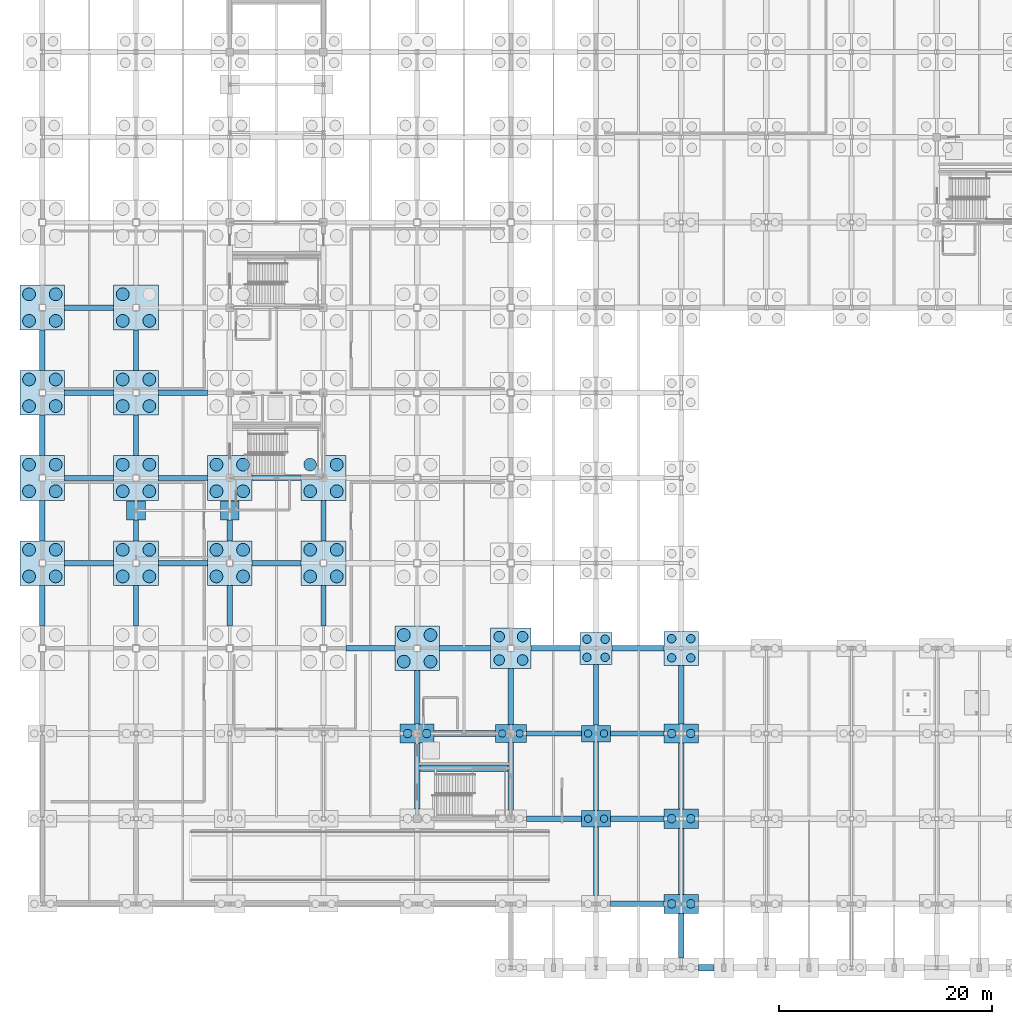
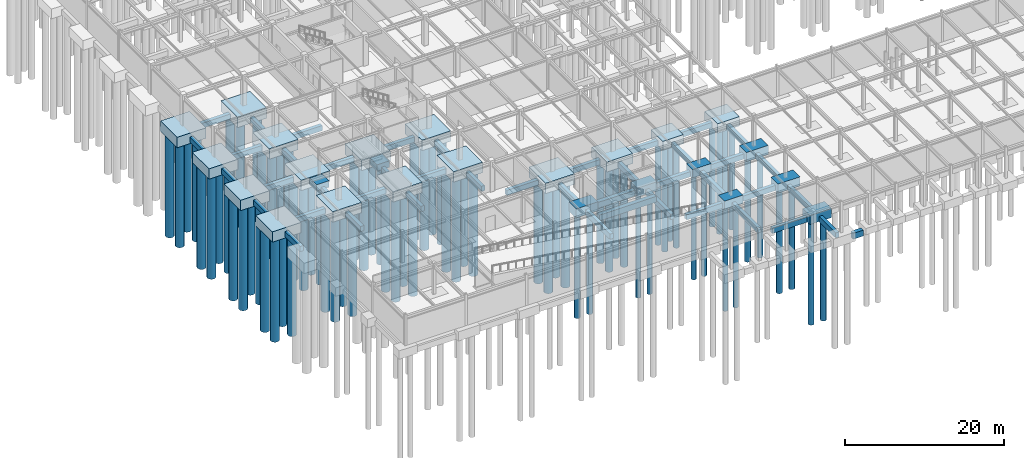
# One storey, part 2 of 72: 77 piles, 69 footings.
"""IFC4 building model written with IfcOpenShell, lengths in metres."""

from ifc_helpers import new_model, si_unit, direction, frame, origin, origin_2d, place, context, subcontext, project, spatial, rectangle, circle, extrude, material, material_profile, profile_set, type_object, element, save


model = new_model("IFC4")

# Units and contexts
model_context = context("Model", 3, precision=1e-05, world=origin(), true_north=direction((0.0, 1.0)))
body_context = subcontext(model_context, "Body", "Model", "MODEL_VIEW")
ifc_project = project(units=[si_unit("LENGTHUNIT", "METRE"), si_unit("AREAUNIT", "SQUARE_METRE"), si_unit("VOLUMEUNIT", "CUBIC_METRE"), si_unit("PLANEANGLEUNIT", "RADIAN"), si_unit("MASSUNIT", "GRAM", prefix="KILO")], contexts=[model_context])

# Site, building, storey
site_placement = place(None, origin())
site = spatial("IfcSite", under=ifc_project, at=site_placement, CompositionType="ELEMENT")
building_placement = place(site_placement, origin())
building = spatial("IfcBuilding", under=site, at=building_placement, Name="Zhaolan Boulevard Law Courts", CompositionType="ELEMENT")
storey_placement = place(building_placement, frame((0.0, 0.0, -4.800048828125)))
storey = spatial("IfcBuildingStorey", under=building, at=storey_placement, Name="B1", CompositionType="ELEMENT", Elevation=-4.800048828125)

# Piles
ifc_material_1 = material(Name="Concrete C40", Category="concrete")
ifc_material_profile_1 = material_profile(ifc_material_1, circle(Radius=0.5, at=origin_2d()), Name="PILE-D1000")
ifc_profile_set_1 = profile_set([ifc_material_profile_1], Name="Concrete C40")
pile_type_1 = type_object("IfcPileType", Name="BORED PILE D1000", PredefinedType="BORED", material=ifc_profile_set_1)
for number, where, z_axis, x_axis, name in (
    (1, (42.89990234375, 28.89990234375, -1.449951171875), (0.0, 0.0, -1.0), (1.0, 0.0, 0.0), "Bored Pile P-6E-1"),
    (2, (45.10009765625, 28.89990234375, -1.449951171875), (0.0, 0.0, -1.0), (1.0, 0.0, 0.0), "Bored Pile P-6E-2"),
    (3, (42.89990234375, 31.10009765625, -1.449951171875), (0.0, 0.0, -1.0), (1.0, 0.0, 0.0), "Bored Pile P-6E-3"),
    (4, (45.10009765625, 31.10009765625, -1.449951171875), (0.0, 0.0, -1.0), (1.0, 0.0, 0.0), "Bored Pile P-6E-4"),
):
    element("IfcPile", number, at=place(storey_placement, frame(where, z_axis=z_axis, x_axis=x_axis)), inside=storey, type_object=pile_type_1, Name=name, PredefinedType="BORED", context=body_context, shape_type="SweptSolid", body=[
        extrude(circle(Radius=0.5, at=origin_2d()), origin(), (0.0, 0.0, 1.0), 15.949951171875),
    ])
ifc_material_2 = material(Name="Concrete C40", Category="concrete")
ifc_material_profile_2 = material_profile(ifc_material_2, circle(Radius=0.60009765625, at=origin_2d()), Name="PILE-D1200")
ifc_profile_set_2 = profile_set([ifc_material_profile_2], Name="Concrete C40")
pile_type_2 = type_object("IfcPileType", Name="BORED PILE D1200", PredefinedType="BORED", material=ifc_profile_set_2)
for number, where, z_axis, x_axis, name in (
    (5, (-1.25, 36.75, -1.5), (0.0, 0.0, -1.0), (1.0, 0.0, 0.0), "Bored Pile P-1F-1"),
    (6, (1.25, 36.75, -1.5), (0.0, 0.0, -1.0), (1.0, 0.0, 0.0), "Bored Pile P-1F-2"),
    (7, (-1.25, 39.25, -1.5), (0.0, 0.0, -1.0), (1.0, 0.0, 0.0), "Bored Pile P-1F-3"),
    (8, (1.25, 39.25, -1.5), (0.0, 0.0, -1.0), (1.0, 0.0, 0.0), "Bored Pile P-1F-4"),
    (9, (-1.25, 44.75, -1.5), (0.0, 0.0, -1.0), (1.0, 0.0, 0.0), "Bored Pile P-1G-1"),
    (10, (1.25, 44.75, -1.5), (0.0, 0.0, -1.0), (1.0, 0.0, 0.0), "Bored Pile P-1G-2"),
    (11, (-1.25, 47.25, -1.5), (0.0, 0.0, -1.0), (1.0, 0.0, 0.0), "Bored Pile P-1G-3"),
    (12, (1.25, 47.25, -1.5), (0.0, 0.0, -1.0), (1.0, 0.0, 0.0), "Bored Pile P-1G-4"),
    (13, (-1.25, 52.75, -1.5), (0.0, 0.0, -1.0), (1.0, 0.0, 0.0), "Bored Pile P-1H-1"),
    (14, (1.25, 52.75, -1.5), (0.0, 0.0, -1.0), (1.0, 0.0, 0.0), "Bored Pile P-1H-2"),
    (15, (-1.25, 55.25, -1.5), (0.0, 0.0, -1.0), (1.0, 0.0, 0.0), "Bored Pile P-1H-3"),
    (16, (1.25, 55.25, -1.5), (0.0, 0.0, -1.0), (1.0, 0.0, 0.0), "Bored Pile P-1H-4"),
    (17, (-1.25, 60.75, -1.5), (0.0, 0.0, -1.0), (1.0, 0.0, 0.0), "Bored Pile P-1J-1"),
    (18, (1.25, 60.75, -1.5), (0.0, 0.0, -1.0), (1.0, 0.0, 0.0), "Bored Pile P-1J-2"),
    (19, (-1.25, 63.25, -1.5), (0.0, 0.0, -1.0), (1.0, 0.0, 0.0), "Bored Pile P-1J-3"),
    (20, (1.25, 63.25, -1.5), (0.0, 0.0, -1.0), (1.0, 0.0, 0.0), "Bored Pile P-1J-4"),
    (21, (7.550048828125, 36.75, -1.5), (0.0, 0.0, -1.0), (1.0, 0.0, 0.0), "Bored Pile P-2F-1"),
    (22, (10.050048828125, 36.75, -1.5), (0.0, 0.0, -1.0), (1.0, 0.0, 0.0), "Bored Pile P-2F-2"),
    (23, (7.550048828125, 39.25, -1.5), (0.0, 0.0, -1.0), (1.0, 0.0, 0.0), "Bored Pile P-2F-3"),
    (24, (10.050048828125, 39.25, -1.5), (0.0, 0.0, -1.0), (1.0, 0.0, 0.0), "Bored Pile P-2F-4"),
    (25, (7.550048828125, 44.75, -1.5), (0.0, 0.0, -1.0), (1.0, 0.0, 0.0), "Bored Pile P-2G-1"),
    (26, (10.050048828125, 44.75, -1.5), (0.0, 0.0, -1.0), (1.0, 0.0, 0.0), "Bored Pile P-2G-2"),
    (27, (7.550048828125, 47.25, -1.5), (0.0, 0.0, -1.0), (1.0, 0.0, 0.0), "Bored Pile P-2G-3"),
    (28, (10.050048828125, 47.25, -1.5), (0.0, 0.0, -1.0), (1.0, 0.0, 0.0), "Bored Pile P-2G-4"),
    (29, (7.550048828125, 52.75, -1.5), (0.0, 0.0, -1.0), (1.0, 0.0, 0.0), "Bored Pile P-2H-1"),
    (30, (10.050048828125, 52.75, -1.5), (0.0, 0.0, -1.0), (1.0, 0.0, 0.0), "Bored Pile P-2H-2"),
    (31, (7.550048828125, 55.25, -1.5), (0.0, 0.0, -1.0), (1.0, 0.0, 0.0), "Bored Pile P-2H-3"),
    (32, (10.050048828125, 55.25, -1.5), (0.0, 0.0, -1.0), (1.0, 0.0, 0.0), "Bored Pile P-2H-4"),
    (33, (7.550048828125, 60.75, -1.5), (0.0, 0.0, -1.0), (1.0, 0.0, 0.0), "Bored Pile P-2J-1"),
    (34, (10.050048828125, 60.75, -1.5), (0.0, 0.0, -1.0), (1.0, 0.0, 0.0), "Bored Pile P-2J-2"),
    (35, (7.550048828125, 63.25, -1.5), (0.0, 0.0, -1.0), (1.0, 0.0, 0.0), "Bored Pile P-2J-3"),
    (36, (16.35009765625, 36.75, -1.5), (0.0, 0.0, -1.0), (1.0, 0.0, 0.0), "Bored Pile P-3F-1"),
    (37, (18.85009765625, 36.75, -1.5), (0.0, 0.0, -1.0), (1.0, 0.0, 0.0), "Bored Pile P-3F-2"),
    (38, (16.35009765625, 39.25, -1.5), (0.0, 0.0, -1.0), (1.0, 0.0, 0.0), "Bored Pile P-3F-3"),
    (39, (18.85009765625, 39.25, -1.5), (0.0, 0.0, -1.0), (1.0, 0.0, 0.0), "Bored Pile P-3F-4"),
    (40, (16.35009765625, 44.75, -1.5), (0.0, 0.0, -1.0), (1.0, 0.0, 0.0), "Bored Pile P-3G-1"),
    (41, (18.85009765625, 44.75, -1.5), (0.0, 0.0, -1.0), (1.0, 0.0, 0.0), "Bored Pile P-3G-2"),
    (42, (16.35009765625, 47.25, -1.5), (0.0, 0.0, -1.0), (1.0, 0.0, 0.0), "Bored Pile P-3G-3"),
    (43, (18.85009765625, 47.25, -1.5), (0.0, 0.0, -1.0), (1.0, 0.0, 0.0), "Bored Pile P-3G-4"),
    (44, (25.14990234375, 36.75, -1.5), (0.0, 0.0, -1.0), (1.0, 0.0, 0.0), "Bored Pile P-4F-1"),
    (45, (27.64990234375, 36.75, -1.5), (0.0, 0.0, -1.0), (1.0, 0.0, 0.0), "Bored Pile P-4F-2"),
    (46, (25.14990234375, 39.25, -1.5), (0.0, 0.0, -1.0), (1.0, 0.0, 0.0), "Bored Pile P-4F-3"),
    (47, (27.64990234375, 39.25, -1.5), (0.0, 0.0, -1.0), (1.0, 0.0, 0.0), "Bored Pile P-4F-4"),
    (48, (25.14990234375, 44.75, -1.5), (0.0, 0.0, -1.0), (1.0, 0.0, 0.0), "Bored Pile P-4G-1"),
    (49, (27.64990234375, 44.75, -1.5), (0.0, 0.0, -1.0), (1.0, 0.0, 0.0), "Bored Pile P-4G-2"),
    (50, (25.14990234375, 47.25, -1.5), (0.0, 0.0, -1.0), (1.0, 0.0, 0.0), "Bored Pile P-4G-3"),
    (51, (27.64990234375, 47.25, -1.5), (0.0, 0.0, -1.0), (1.0, 0.0, 0.0), "Bored Pile P-4G-4"),
    (52, (33.949951171875, 28.75, -1.5), (0.0, 0.0, -1.0), (1.0, 0.0, 0.0), "Bored Pile P-5E-1"),
    (53, (36.449951171875, 28.75, -1.5), (0.0, 0.0, -1.0), (1.0, 0.0, 0.0), "Bored Pile P-5E-2"),
    (54, (33.949951171875, 31.25, -1.5), (0.0, 0.0, -1.0), (1.0, 0.0, 0.0), "Bored Pile P-5E-3"),
    (55, (36.449951171875, 31.25, -1.5), (0.0, 0.0, -1.0), (1.0, 0.0, 0.0), "Bored Pile P-5E-4"),
):
    element("IfcPile", number, at=place(storey_placement, frame(where, z_axis=z_axis, x_axis=x_axis)), inside=storey, type_object=pile_type_2, Name=name, PredefinedType="BORED", context=body_context, shape_type="SweptSolid", body=[
        extrude(circle(Radius=0.60009765625, at=origin_2d()), origin(), (0.0, 0.0, 1.0), 15.89990234375),
    ])
ifc_material_3 = material(Name="Concrete C40", Category="concrete")
ifc_material_profile_3 = material_profile(ifc_material_3, circle(Radius=0.35009765625, at=origin_2d()), Name="PILE-D700")
ifc_profile_set_3 = profile_set([ifc_material_profile_3], Name="Concrete C40")
pile_type_3 = type_object("IfcPileType", Name="BORED PILE D700", PredefinedType="BORED", material=ifc_profile_set_3)
for number, where, z_axis, x_axis, name in (
    (56, (43.179931640625, 22.0, -1.25), (0.0, 0.0, -1.0), (1.0, 0.0, 0.0), "Bored Pile P-6D-1"),
    (57, (44.820068359375, 22.0, -1.25), (0.0, 0.0, -1.0), (1.0, 0.0, 0.0), "Bored Pile P-6D-2"),
):
    element("IfcPile", number, at=place(storey_placement, frame(where, z_axis=z_axis, x_axis=x_axis)), inside=storey, type_object=pile_type_3, Name=name, PredefinedType="BORED", context=body_context, shape_type="SweptSolid", body=[
        extrude(circle(Radius=0.35009765625, at=origin_2d()), origin(), (0.0, 0.0, 1.0), 16.14990234375),
    ])
for number, where, z_axis, x_axis, name in (
    (58, (51.25, 14.0, -1.199951171875), (0.0, 0.0, -1.0), (1.0, 0.0, 0.0), "Bored Pile P-7C-1"),
    (59, (52.75, 14.0, -1.199951171875), (0.0, 0.0, -1.0), (1.0, 0.0, 0.0), "Bored Pile P-7C-2"),
    (60, (51.25, 22.0, -1.199951171875), (0.0, 0.0, -1.0), (1.0, 0.0, 0.0), "Bored Pile P-7D-1"),
    (61, (52.75, 22.0, -1.199951171875), (0.0, 0.0, -1.0), (1.0, 0.0, 0.0), "Bored Pile P-7D-2"),
):
    element("IfcPile", number, at=place(storey_placement, frame(where, z_axis=z_axis, x_axis=x_axis)), inside=storey, type_object=pile_type_3, Name=name, PredefinedType="BORED", context=body_context, shape_type="SweptSolid", body=[
        extrude(circle(Radius=0.35009765625, at=origin_2d()), origin(), (0.0, 0.0, 1.0), 16.199951171875),
    ])
ifc_material_4 = material(Name="Concrete C40", Category="concrete")
ifc_material_profile_4 = material_profile(ifc_material_4, circle(Radius=0.39990234375, at=origin_2d()), Name="PILE-D800")
ifc_profile_set_4 = profile_set([ifc_material_profile_4], Name="Concrete C40")
pile_type_4 = type_object("IfcPileType", Name="BORED PILE D800", PredefinedType="BORED", material=ifc_profile_set_4)
for number, where, z_axis, x_axis, name in (
    (62, (34.300048828125, 22.0, -1.300048828125), (0.0, 0.0, -1.0), (1.0, 0.0, 0.0), "Bored Pile P-5D-1"),
    (63, (36.10009765625, 22.0, -1.300048828125), (0.0, 0.0, -1.0), (1.0, 0.0, 0.0), "Bored Pile P-5D-2"),
    (64, (51.14990234375, 29.14990234375, -1.300048828125), (0.0, 0.0, -1.0), (1.0, 0.0, 0.0), "Bored Pile P-7E-1"),
    (65, (52.85009765625, 29.14990234375, -1.300048828125), (0.0, 0.0, -1.0), (1.0, 0.0, 0.0), "Bored Pile P-7E-2"),
    (66, (51.14990234375, 30.85009765625, -1.300048828125), (0.0, 0.0, -1.0), (1.0, 0.0, 0.0), "Bored Pile P-7E-3"),
    (67, (52.85009765625, 30.85009765625, -1.300048828125), (0.0, 0.0, -1.0), (1.0, 0.0, 0.0), "Bored Pile P-7E-4"),
    (68, (59.10009765625, 6.0, -1.300048828125), (0.0, 0.0, -1.0), (1.0, 0.0, 0.0), "Bored Pile P-8B-1"),
    (69, (60.89990234375, 6.0, -1.300048828125), (0.0, 0.0, -1.0), (1.0, 0.0, 0.0), "Bored Pile P-8B-2"),
    (70, (59.10009765625, 14.0, -1.300048828125), (0.0, 0.0, -1.0), (1.0, 0.0, 0.0), "Bored Pile P-8C-1"),
    (71, (60.89990234375, 14.0, -1.300048828125), (0.0, 0.0, -1.0), (1.0, 0.0, 0.0), "Bored Pile P-8C-2"),
    (72, (59.10009765625, 22.0, -1.300048828125), (0.0, 0.0, -1.0), (1.0, 0.0, 0.0), "Bored Pile P-8D-1"),
    (73, (60.89990234375, 22.0, -1.300048828125), (0.0, 0.0, -1.0), (1.0, 0.0, 0.0), "Bored Pile P-8D-2"),
):
    element("IfcPile", number, at=place(storey_placement, frame(where, z_axis=z_axis, x_axis=x_axis)), inside=storey, type_object=pile_type_4, Name=name, PredefinedType="BORED", context=body_context, shape_type="SweptSolid", body=[
        extrude(circle(Radius=0.39990234375, at=origin_2d()), origin(), (0.0, 0.0, 1.0), 16.10009765625),
    ])
for number, where, z_axis, x_axis, name in (
    (74, (59.10009765625, 29.10009765625, -1.349853515625), (0.0, 0.0, -1.0), (1.0, 0.0, 0.0), "Bored Pile P-8E-1"),
    (75, (60.89990234375, 29.10009765625, -1.349853515625), (0.0, 0.0, -1.0), (1.0, 0.0, 0.0), "Bored Pile P-8E-2"),
    (76, (59.10009765625, 30.89990234375, -1.349853515625), (0.0, 0.0, -1.0), (1.0, 0.0, 0.0), "Bored Pile P-8E-3"),
    (77, (60.89990234375, 30.89990234375, -1.349853515625), (0.0, 0.0, -1.0), (1.0, 0.0, 0.0), "Bored Pile P-8E-4"),
):
    element("IfcPile", number, at=place(storey_placement, frame(where, z_axis=z_axis, x_axis=x_axis)), inside=storey, type_object=pile_type_4, Name=name, PredefinedType="BORED", context=body_context, shape_type="SweptSolid", body=[
        extrude(circle(Radius=0.39990234375, at=origin_2d()), origin(), (0.0, 0.0, 1.0), 16.050048828125),
    ])

# Footings
ifc_material_5 = material(Name="Concrete C40", Category="concrete")
footing_type_1 = type_object("IfcFootingType", Name="PAD FOOTING 1800X1800X1000", PredefinedType="PAD_FOOTING", material=ifc_material_5)
for number, where, z_axis, x_axis, name in (
    (78, (8.800048828125, 42.949951171875, -1.0), (0.0, 0.0, 1.0), (1.0, 0.0, 0.0), "Stairwell Corner Pad Footing PF-ST03-3"),
    (79, (17.60009765625, 42.949951171875, -1.0), (0.0, 0.0, 1.0), (1.0, 0.0, 0.0), "Stairwell Corner Pad Footing PF-ST03-4"),
):
    element("IfcFooting", number, at=place(storey_placement, frame(where, z_axis=z_axis, x_axis=x_axis)), inside=storey, type_object=footing_type_1, Name=name, PredefinedType="PAD_FOOTING", context=body_context, shape_type="SweptSolid", body=[
        extrude(rectangle(XDim=1.780029296875, YDim=1.780029296875, at=origin_2d()), origin(), (0.0, 0.0, 1.0), 1.0),
    ])
ifc_material_6 = material(Name="Concrete C40", Category="concrete")
footing_type_2 = type_object("IfcFootingType", Name="PILE CAP 2700X1550X1300", PredefinedType="PILE_CAP", material=ifc_material_6)
for number, where, z_axis, x_axis, name in (
    (80, (52.0, 14.0, -1.2998046875), (0.0, 0.0, 1.0), (1.0, 0.0, 0.0), "Pile Cap PC-7C"),
    (81, (52.0, 22.0, -1.2998046875), (0.0, 0.0, 1.0), (1.0, 0.0, 0.0), "Pile Cap PC-7D"),
):
    element("IfcFooting", number, at=place(storey_placement, frame(where, z_axis=z_axis, x_axis=x_axis)), inside=storey, type_object=footing_type_2, Name=name, PredefinedType="PILE_CAP", context=body_context, shape_type="SweptSolid", body=[
        extrude(rectangle(XDim=2.699951171875, YDim=1.550048828125, at=origin_2d()), origin(), (0.0, 0.0, 1.0), 1.300048828125),
    ])
ifc_material_7 = material(Name="Concrete C40", Category="concrete")
footing_type_3 = type_object("IfcFootingType", Name="PILE CAP 2900X1650X1350", PredefinedType="PILE_CAP", material=ifc_material_7)
footing_1_placement = place(storey_placement, frame((44.0, 22.0, -1.35009765625), z_axis=(0.0, 0.0, 1.0), x_axis=(1.0, 0.0, 0.0)))
element("IfcFooting", 82, at=footing_1_placement, inside=storey, type_object=footing_type_3, Name="Pile Cap PC-6D", PredefinedType="PILE_CAP", context=body_context, shape_type="SweptSolid", body=[
    extrude(rectangle(XDim=2.89990234375, YDim=1.64990234375, at=origin_2d()), origin(), (0.0, 0.0, 1.0), 1.35009765625),
])
ifc_material_8 = material(Name="Concrete C40", Category="concrete")
footing_type_4 = type_object("IfcFootingType", Name="PILE CAP 3000X3000X1400", PredefinedType="PILE_CAP", material=ifc_material_8)
footing_2_placement = place(storey_placement, frame((52.0, 30.0, -1.39990234375), z_axis=(0.0, 0.0, 1.0), x_axis=(1.0, 0.0, 0.0)))
element("IfcFooting", 83, at=footing_2_placement, inside=storey, type_object=footing_type_4, Name="Pile Cap PC-7E", PredefinedType="PILE_CAP", context=body_context, shape_type="SweptSolid", body=[
    extrude(rectangle(XDim=3.0, YDim=3.0, at=origin_2d()), origin(), (0.0, 0.0, 1.0), 1.39990234375),
])
ifc_material_9 = material(Name="Concrete C40", Category="concrete")
footing_type_5 = type_object("IfcFootingType", Name="PILE CAP 3200X1800X1400", PredefinedType="PILE_CAP", material=ifc_material_9)
for number, where, z_axis, x_axis, name in (
    (84, (35.199951171875, 22.0, -1.39990234375), (0.0, 0.0, 1.0), (1.0, 0.0, 0.0), "Pile Cap PC-5D"),
    (85, (60.0, 6.0, -1.39990234375), (0.0, 0.0, 1.0), (1.0, 0.0, 0.0), "Pile Cap PC-8B"),
    (86, (60.0, 14.0, -1.39990234375), (0.0, 0.0, 1.0), (1.0, 0.0, 0.0), "Pile Cap PC-8C"),
    (87, (60.0, 22.0, -1.39990234375), (0.0, 0.0, 1.0), (1.0, 0.0, 0.0), "Pile Cap PC-8D"),
):
    element("IfcFooting", number, at=place(storey_placement, frame(where, z_axis=z_axis, x_axis=x_axis)), inside=storey, type_object=footing_type_5, Name=name, PredefinedType="PILE_CAP", context=body_context, shape_type="SweptSolid", body=[
        extrude(rectangle(XDim=3.199951171875, YDim=1.800048828125, at=origin_2d()), origin(), (0.0, 0.0, 1.0), 1.39990234375),
    ])
ifc_material_10 = material(Name="Concrete C40", Category="concrete")
footing_type_6 = type_object("IfcFootingType", Name="PILE CAP 3200X3200X1450", PredefinedType="PILE_CAP", material=ifc_material_10)
footing_3_placement = place(storey_placement, frame((60.0, 30.0, -1.44970703125), z_axis=(0.0, 0.0, 1.0), x_axis=(1.0, 0.0, 0.0)))
element("IfcFooting", 88, at=footing_3_placement, inside=storey, type_object=footing_type_6, Name="Pile Cap PC-8E", PredefinedType="PILE_CAP", context=body_context, shape_type="SweptSolid", body=[
    extrude(rectangle(XDim=3.199951171875, YDim=3.199951171875, at=origin_2d()), origin(), (0.0, 0.0, 1.0), 1.449951171875),
])
ifc_material_11 = material(Name="Concrete C40", Category="concrete")
footing_type_7 = type_object("IfcFootingType", Name="PILE CAP 3800X3800X1550", PredefinedType="PILE_CAP", material=ifc_material_11)
footing_4_placement = place(storey_placement, frame((44.0, 30.0, -1.5498046875), z_axis=(0.0, 0.0, 1.0), x_axis=(1.0, 0.0, 0.0)))
element("IfcFooting", 89, at=footing_4_placement, inside=storey, type_object=footing_type_7, Name="Pile Cap PC-6E", PredefinedType="PILE_CAP", context=body_context, shape_type="SweptSolid", body=[
    extrude(rectangle(XDim=3.800048828125, YDim=3.800048828125, at=origin_2d()), origin(), (0.0, 0.0, 1.0), 1.550048828125),
])
ifc_material_12 = material(Name="Concrete C40", Category="concrete")
footing_type_8 = type_object("IfcFootingType", Name="PILE CAP 4200X4200X1600", PredefinedType="PILE_CAP", material=ifc_material_12)
for number, where, z_axis, x_axis, name in (
    (90, (0.0, 38.0, -1.60009765625), (0.0, 0.0, 1.0), (1.0, 0.0, 0.0), "Pile Cap PC-1F"),
    (91, (0.0, 46.0, -1.60009765625), (0.0, 0.0, 1.0), (1.0, 0.0, 0.0), "Pile Cap PC-1G"),
    (92, (0.0, 54.0, -1.60009765625), (0.0, 0.0, 1.0), (1.0, 0.0, 0.0), "Pile Cap PC-1H"),
    (93, (0.0, 62.0, -1.60009765625), (0.0, 0.0, 1.0), (1.0, 0.0, 0.0), "Pile Cap PC-1J"),
    (94, (8.800048828125, 38.0, -1.60009765625), (0.0, 0.0, 1.0), (1.0, 0.0, 0.0), "Pile Cap PC-2F"),
    (95, (8.800048828125, 46.0, -1.60009765625), (0.0, 0.0, 1.0), (1.0, 0.0, 0.0), "Pile Cap PC-2G"),
    (96, (8.800048828125, 54.0, -1.60009765625), (0.0, 0.0, 1.0), (1.0, 0.0, 0.0), "Pile Cap PC-2H"),
    (97, (8.800048828125, 62.0, -1.60009765625), (0.0, 0.0, 1.0), (1.0, 0.0, 0.0), "Pile Cap PC-2J"),
    (98, (17.60009765625, 38.0, -1.60009765625), (0.0, 0.0, 1.0), (1.0, 0.0, 0.0), "Pile Cap PC-3F"),
    (99, (17.60009765625, 46.0, -1.60009765625), (0.0, 0.0, 1.0), (1.0, 0.0, 0.0), "Pile Cap PC-3G"),
    (100, (26.39990234375, 38.0, -1.60009765625), (0.0, 0.0, 1.0), (1.0, 0.0, 0.0), "Pile Cap PC-4F"),
    (101, (26.39990234375, 46.0, -1.60009765625), (0.0, 0.0, 1.0), (1.0, 0.0, 0.0), "Pile Cap PC-4G"),
    (102, (35.199951171875, 30.0, -1.60009765625), (0.0, 0.0, 1.0), (1.0, 0.0, 0.0), "Pile Cap PC-5E"),
):
    element("IfcFooting", number, at=place(storey_placement, frame(where, z_axis=z_axis, x_axis=x_axis)), inside=storey, type_object=footing_type_8, Name=name, PredefinedType="PILE_CAP", context=body_context, shape_type="SweptSolid", body=[
        extrude(rectangle(XDim=4.199951171875, YDim=4.199951171875, at=origin_2d()), origin(), (0.0, 0.0, 1.0), 1.60009765625),
    ])
ifc_material_13 = material(Name="Concrete C40", Category="concrete")
ifc_material_profile_5 = material_profile(ifc_material_13, rectangle(XDim=0.60009765625, YDim=0.89990234375, at=origin_2d()), Name="RC600x900")
ifc_profile_set_5 = profile_set([ifc_material_profile_5], Name="Concrete C40")
footing_type_9 = type_object("IfcFootingType", Name="STRIP FOOTING 600X900", PredefinedType="STRIP_FOOTING", material=ifc_profile_set_5)
footing_5_placement = place(storey_placement, frame((35.451904296875, 18.75, -0.449951171875), z_axis=(1.0, 0.0, 0.0), x_axis=(0.0, 1.0, 0.0)))
element("IfcFooting", 103, at=footing_5_placement, inside=storey, type_object=footing_type_9, Name="Stair Divider Strip Footing SF-ST04-DN", PredefinedType="STRIP_FOOTING", context=body_context, shape_type="SweptSolid", body=[
    extrude(rectangle(XDim=0.60009765625, YDim=0.89990234375, at=origin_2d()), origin(), (0.0, 0.0, 1.0), 8.296142578125),
])
ifc_material_14 = material(Name="Concrete C40", Category="concrete")
ifc_material_profile_6 = material_profile(ifc_material_14, rectangle(XDim=0.5, YDim=0.800048828125, at=origin_2d()), Name="RC500x800")
ifc_profile_set_6 = profile_set([ifc_material_profile_6], Name="Concrete C40")
footing_type_10 = type_object("IfcFootingType", Name="TIE BEAM 500X800", PredefinedType="FOOTING_BEAM", material=ifc_profile_set_6)
for number, where, z_axis, x_axis, name in (
    (104, (2.10205078125, 38.0, -1.0), (1.0, 0.0, 0.0), (0.0, 1.0, 0.0), "Foundation Tie Beam TBX-1-2-F"),
    (105, (2.10205078125, 46.0, -1.0), (1.0, 0.0, 0.0), (0.0, 1.0, 0.0), "Foundation Tie Beam TBX-1-2-G"),
    (106, (2.10205078125, 54.0, -1.0), (1.0, 0.0, 0.0), (0.0, 1.0, 0.0), "Foundation Tie Beam TBX-1-2-H"),
    (107, (2.10205078125, 62.0, -1.0), (1.0, 0.0, 0.0), (0.0, 1.0, 0.0), "Foundation Tie Beam TBX-1-2-J"),
    (108, (10.902099609375, 38.0, -1.0), (1.0, 0.0, 0.0), (0.0, 1.0, 0.0), "Foundation Tie Beam TBX-2-3-F"),
    (109, (10.902099609375, 46.0, -1.0), (1.0, 0.0, 0.0), (0.0, 1.0, 0.0), "Foundation Tie Beam TBX-2-3-G"),
    (110, (10.902099609375, 54.0, -1.0), (1.0, 0.0, 0.0), (0.0, 1.0, 0.0), "Foundation Tie Beam TBX-2-3-H"),
):
    element("IfcFooting", number, at=place(storey_placement, frame(where, z_axis=z_axis, x_axis=x_axis)), inside=storey, type_object=footing_type_10, Name=name, PredefinedType="FOOTING_BEAM", context=body_context, shape_type="SweptSolid", body=[
        extrude(rectangle(XDim=0.5, YDim=0.800048828125, at=origin_2d()), origin(), (0.0, 0.0, 1.0), 4.595947265625),
    ])
for number, where, z_axis, x_axis, name in (
    (111, (19.701904296875, 38.0, -1.0), (1.0, 0.0, 0.0), (0.0, 1.0, 0.0), "Foundation Tie Beam TBX-3-4-F"),
    (112, (19.701904296875, 46.0, -1.0), (1.0, 0.0, 0.0), (0.0, 1.0, 0.0), "Foundation Tie Beam TBX-3-4-G"),
):
    element("IfcFooting", number, at=place(storey_placement, frame(where, z_axis=z_axis, x_axis=x_axis)), inside=storey, type_object=footing_type_10, Name=name, PredefinedType="FOOTING_BEAM", context=body_context, shape_type="SweptSolid", body=[
        extrude(rectangle(XDim=0.5, YDim=0.800048828125, at=origin_2d()), origin(), (0.0, 0.0, 1.0), 4.59619140625),
    ])
footing_6_placement = place(storey_placement, frame((28.501953125, 30.0, -1.0), z_axis=(1.0, 0.0, 0.0), x_axis=(0.0, 1.0, 0.0)))
element("IfcFooting", 113, at=footing_6_placement, inside=storey, type_object=footing_type_10, Name="Foundation Tie Beam TBX-4-5-E", PredefinedType="FOOTING_BEAM", context=body_context, shape_type="SweptSolid", body=[
    extrude(rectangle(XDim=0.5, YDim=0.800048828125, at=origin_2d()), origin(), (0.0, 0.0, 1.0), 4.595947265625),
])
footing_7_placement = place(storey_placement, frame((37.302001953125, 30.0, -1.0), z_axis=(1.0, 0.0, 0.0), x_axis=(0.0, 1.0, 0.0)))
element("IfcFooting", 114, at=footing_7_placement, inside=storey, type_object=footing_type_10, Name="Foundation Tie Beam TBX-5-6-E", PredefinedType="FOOTING_BEAM", context=body_context, shape_type="SweptSolid", body=[
    extrude(rectangle(XDim=0.5, YDim=0.800048828125, at=origin_2d()), origin(), (0.0, 0.0, 1.0), 4.7958984375),
])
for number, where, z_axis, x_axis, name in (
    (115, (45.451904296875, 14.0, -1.0), (1.0, 0.0, 0.0), (0.0, 1.0, 0.0), "Foundation Tie Beam TBX-6-7-C"),
    (116, (45.451904296875, 22.0, -1.0), (1.0, 0.0, 0.0), (0.0, 1.0, 0.0), "Foundation Tie Beam TBX-6-7-D"),
):
    element("IfcFooting", number, at=place(storey_placement, frame(where, z_axis=z_axis, x_axis=x_axis)), inside=storey, type_object=footing_type_10, Name=name, PredefinedType="FOOTING_BEAM", context=body_context, shape_type="SweptSolid", body=[
        extrude(rectangle(XDim=0.5, YDim=0.800048828125, at=origin_2d()), origin(), (0.0, 0.0, 1.0), 5.196044921875),
    ])
footing_8_placement = place(storey_placement, frame((45.902099609375, 30.0, -1.0), z_axis=(1.0, 0.0, 0.0), x_axis=(0.0, 1.0, 0.0)))
element("IfcFooting", 117, at=footing_8_placement, inside=storey, type_object=footing_type_10, Name="Foundation Tie Beam TBX-6-7-E", PredefinedType="FOOTING_BEAM", context=body_context, shape_type="SweptSolid", body=[
    extrude(rectangle(XDim=0.5, YDim=0.800048828125, at=origin_2d()), origin(), (0.0, 0.0, 1.0), 4.595947265625),
])
for number, where, z_axis, x_axis, name in (
    (118, (53.35205078125, 6.0, -1.0), (1.0, 0.0, 0.0), (0.0, 1.0, 0.0), "Foundation Tie Beam TBX-7-8-B"),
    (119, (53.35205078125, 14.0, -1.0), (1.0, 0.0, 0.0), (0.0, 1.0, 0.0), "Foundation Tie Beam TBX-7-8-C"),
    (120, (53.35205078125, 22.0, -1.0), (1.0, 0.0, 0.0), (0.0, 1.0, 0.0), "Foundation Tie Beam TBX-7-8-D"),
):
    element("IfcFooting", number, at=place(storey_placement, frame(where, z_axis=z_axis, x_axis=x_axis)), inside=storey, type_object=footing_type_10, Name=name, PredefinedType="FOOTING_BEAM", context=body_context, shape_type="SweptSolid", body=[
        extrude(rectangle(XDim=0.5, YDim=0.800048828125, at=origin_2d()), origin(), (0.0, 0.0, 1.0), 5.0458984375),
    ])
footing_9_placement = place(storey_placement, frame((53.501953125, 30.0, -1.0), z_axis=(1.0, 0.0, 0.0), x_axis=(0.0, 1.0, 0.0)))
element("IfcFooting", 121, at=footing_9_placement, inside=storey, type_object=footing_type_10, Name="Foundation Tie Beam TBX-7-8-E", PredefinedType="FOOTING_BEAM", context=body_context, shape_type="SweptSolid", body=[
    extrude(rectangle(XDim=0.5, YDim=0.800048828125, at=origin_2d()), origin(), (0.0, 0.0, 1.0), 4.89599609375),
])
for number, where, z_axis, x_axis, name in (
    (122, (0.0, 32.10205078125, -1.0), (0.0, 1.0, 0.0), (-1.0, 0.0, 0.0), "Foundation Tie Beam TBY-1-E-F"),
    (123, (0.0, 40.10205078125, -1.0), (0.0, 1.0, 0.0), (-1.0, 0.0, 0.0), "Foundation Tie Beam TBY-1-F-G"),
    (124, (0.0, 48.10205078125, -1.0), (0.0, 1.0, 0.0), (-1.0, 0.0, 0.0), "Foundation Tie Beam TBY-1-G-H"),
    (125, (0.0, 56.10205078125, -1.0), (0.0, 1.0, 0.0), (-1.0, 0.0, 0.0), "Foundation Tie Beam TBY-1-H-J"),
    (126, (8.800048828125, 32.10205078125, -1.0), (0.0, 1.0, 0.0), (-1.0, 0.0, 0.0), "Foundation Tie Beam TBY-2-E-F"),
):
    element("IfcFooting", number, at=place(storey_placement, frame(where, z_axis=z_axis, x_axis=x_axis)), inside=storey, type_object=footing_type_10, Name=name, PredefinedType="FOOTING_BEAM", context=body_context, shape_type="SweptSolid", body=[
        extrude(rectangle(XDim=0.5, YDim=0.800048828125, at=origin_2d()), origin(), (0.0, 0.0, 1.0), 3.7958984375),
    ])
footing_10_placement = place(storey_placement, frame((8.800048828125, 40.10205078125, -1.0), z_axis=(0.0, 1.0, 0.0), x_axis=(-1.0, 0.0, 0.0)))
element("IfcFooting", 127, at=footing_10_placement, inside=storey, type_object=footing_type_10, Name="Foundation Tie Beam TBY-2-F-G", PredefinedType="FOOTING_BEAM", context=body_context, shape_type="SweptSolid", body=[
    extrude(rectangle(XDim=0.5, YDim=0.800048828125, at=origin_2d()), origin(), (0.0, 0.0, 1.0), 1.9560546875),
])
for number, where, z_axis, x_axis, name in (
    (128, (8.800048828125, 48.10205078125, -1.0), (0.0, 1.0, 0.0), (-1.0, 0.0, 0.0), "Foundation Tie Beam TBY-2-G-H"),
    (129, (8.800048828125, 56.10205078125, -1.0), (0.0, 1.0, 0.0), (-1.0, 0.0, 0.0), "Foundation Tie Beam TBY-2-H-J"),
    (130, (17.60009765625, 32.10205078125, -1.0), (0.0, 1.0, 0.0), (-1.0, 0.0, 0.0), "Foundation Tie Beam TBY-3-E-F"),
):
    element("IfcFooting", number, at=place(storey_placement, frame(where, z_axis=z_axis, x_axis=x_axis)), inside=storey, type_object=footing_type_10, Name=name, PredefinedType="FOOTING_BEAM", context=body_context, shape_type="SweptSolid", body=[
        extrude(rectangle(XDim=0.5, YDim=0.800048828125, at=origin_2d()), origin(), (0.0, 0.0, 1.0), 3.7958984375),
    ])
footing_11_placement = place(storey_placement, frame((17.60009765625, 40.10205078125, -1.0), z_axis=(0.0, 1.0, 0.0), x_axis=(-1.0, 0.0, 0.0)))
element("IfcFooting", 131, at=footing_11_placement, inside=storey, type_object=footing_type_10, Name="Foundation Tie Beam TBY-3-F-G", PredefinedType="FOOTING_BEAM", context=body_context, shape_type="SweptSolid", body=[
    extrude(rectangle(XDim=0.5, YDim=0.800048828125, at=origin_2d()), origin(), (0.0, 0.0, 1.0), 1.9560546875),
])
for number, where, z_axis, x_axis, name in (
    (132, (26.39990234375, 32.10205078125, -1.0), (0.0, 1.0, 0.0), (-1.0, 0.0, 0.0), "Foundation Tie Beam TBY-4-E-F"),
    (133, (26.39990234375, 40.10205078125, -1.0), (0.0, 1.0, 0.0), (-1.0, 0.0, 0.0), "Foundation Tie Beam TBY-4-F-G"),
):
    element("IfcFooting", number, at=place(storey_placement, frame(where, z_axis=z_axis, x_axis=x_axis)), inside=storey, type_object=footing_type_10, Name=name, PredefinedType="FOOTING_BEAM", context=body_context, shape_type="SweptSolid", body=[
        extrude(rectangle(XDim=0.5, YDim=0.800048828125, at=origin_2d()), origin(), (0.0, 0.0, 1.0), 3.7958984375),
    ])
footing_12_placement = place(storey_placement, frame((35.199951171875, 14.902099609375, -1.0), z_axis=(0.0, 1.0, 0.0), x_axis=(-1.0, 0.0, 0.0)))
element("IfcFooting", 134, at=footing_12_placement, inside=storey, type_object=footing_type_10, Name="Foundation Tie Beam TBY-5-C-D", PredefinedType="FOOTING_BEAM", context=body_context, shape_type="SweptSolid", body=[
    extrude(rectangle(XDim=0.5, YDim=0.800048828125, at=origin_2d()), origin(), (0.0, 0.0, 1.0), 6.19580078125),
])
footing_13_placement = place(storey_placement, frame((35.199951171875, 22.902099609375, -1.0), z_axis=(0.0, 1.0, 0.0), x_axis=(-1.0, 0.0, 0.0)))
element("IfcFooting", 135, at=footing_13_placement, inside=storey, type_object=footing_type_10, Name="Foundation Tie Beam TBY-5-D-E", PredefinedType="FOOTING_BEAM", context=body_context, shape_type="SweptSolid", body=[
    extrude(rectangle(XDim=0.5, YDim=0.800048828125, at=origin_2d()), origin(), (0.0, 0.0, 1.0), 4.995849609375),
])
footing_14_placement = place(storey_placement, frame((44.0, 14.826904296875, -1.0), z_axis=(0.0, 1.0, 0.0), x_axis=(-1.0, 0.0, 0.0)))
element("IfcFooting", 136, at=footing_14_placement, inside=storey, type_object=footing_type_10, Name="Foundation Tie Beam TBY-6-C-D", PredefinedType="FOOTING_BEAM", context=body_context, shape_type="SweptSolid", body=[
    extrude(rectangle(XDim=0.5, YDim=0.800048828125, at=origin_2d()), origin(), (0.0, 0.0, 1.0), 6.34619140625),
])
footing_15_placement = place(storey_placement, frame((44.0, 22.826904296875, -1.0), z_axis=(0.0, 1.0, 0.0), x_axis=(-1.0, 0.0, 0.0)))
element("IfcFooting", 137, at=footing_15_placement, inside=storey, type_object=footing_type_10, Name="Foundation Tie Beam TBY-6-D-E", PredefinedType="FOOTING_BEAM", context=body_context, shape_type="SweptSolid", body=[
    extrude(rectangle(XDim=0.5, YDim=0.800048828125, at=origin_2d()), origin(), (0.0, 0.0, 1.0), 5.27099609375),
])
for number, where, z_axis, x_axis, name in (
    (138, (52.0, 6.777099609375, -1.0), (0.0, 1.0, 0.0), (-1.0, 0.0, 0.0), "Foundation Tie Beam TBY-7-B-C"),
    (139, (52.0, 14.777099609375, -1.0), (0.0, 1.0, 0.0), (-1.0, 0.0, 0.0), "Foundation Tie Beam TBY-7-C-D"),
):
    element("IfcFooting", number, at=place(storey_placement, frame(where, z_axis=z_axis, x_axis=x_axis)), inside=storey, type_object=footing_type_10, Name=name, PredefinedType="FOOTING_BEAM", context=body_context, shape_type="SweptSolid", body=[
        extrude(rectangle(XDim=0.5, YDim=0.800048828125, at=origin_2d()), origin(), (0.0, 0.0, 1.0), 6.44580078125),
    ])
footing_16_placement = place(storey_placement, frame((52.0, 22.777099609375, -1.0), z_axis=(0.0, 1.0, 0.0), x_axis=(-1.0, 0.0, 0.0)))
element("IfcFooting", 140, at=footing_16_placement, inside=storey, type_object=footing_type_10, Name="Foundation Tie Beam TBY-7-D-E", PredefinedType="FOOTING_BEAM", context=body_context, shape_type="SweptSolid", body=[
    extrude(rectangle(XDim=0.5, YDim=0.800048828125, at=origin_2d()), origin(), (0.0, 0.0, 1.0), 5.720947265625),
])
footing_17_placement = place(storey_placement, frame((60.0, 0.902099609375, -1.0), z_axis=(0.0, 1.0, 0.0), x_axis=(-1.0, 0.0, 0.0)))
element("IfcFooting", 141, at=footing_17_placement, inside=storey, type_object=footing_type_10, Name="Foundation Tie Beam TBY-8-A-B", PredefinedType="FOOTING_BEAM", context=body_context, shape_type="SweptSolid", body=[
    extrude(rectangle(XDim=0.5, YDim=0.800048828125, at=origin_2d()), origin(), (0.0, 0.0, 1.0), 4.19580078125),
])
for number, where, z_axis, x_axis, name in (
    (142, (60.0, 6.902099609375, -1.0), (0.0, 1.0, 0.0), (-1.0, 0.0, 0.0), "Foundation Tie Beam TBY-8-B-C"),
    (143, (60.0, 14.902099609375, -1.0), (0.0, 1.0, 0.0), (-1.0, 0.0, 0.0), "Foundation Tie Beam TBY-8-C-D"),
):
    element("IfcFooting", number, at=place(storey_placement, frame(where, z_axis=z_axis, x_axis=x_axis)), inside=storey, type_object=footing_type_10, Name=name, PredefinedType="FOOTING_BEAM", context=body_context, shape_type="SweptSolid", body=[
        extrude(rectangle(XDim=0.5, YDim=0.800048828125, at=origin_2d()), origin(), (0.0, 0.0, 1.0), 6.19580078125),
    ])
footing_18_placement = place(storey_placement, frame((60.0, 22.902099609375, -1.0), z_axis=(0.0, 1.0, 0.0), x_axis=(-1.0, 0.0, 0.0)))
element("IfcFooting", 144, at=footing_18_placement, inside=storey, type_object=footing_type_10, Name="Foundation Tie Beam TBY-8-D-E", PredefinedType="FOOTING_BEAM", context=body_context, shape_type="SweptSolid", body=[
    extrude(rectangle(XDim=0.5, YDim=0.800048828125, at=origin_2d()), origin(), (0.0, 0.0, 1.0), 5.495849609375),
])
ifc_material_15 = material(Name="Concrete C40", Category="concrete")
ifc_material_profile_7 = material_profile(ifc_material_15, rectangle(XDim=0.60009765625, YDim=0.89990234375, at=origin_2d()), Name="RC600x900")
ifc_profile_set_7 = profile_set([ifc_material_profile_7], Name="Concrete C40")
footing_type_11 = type_object("IfcFootingType", Name="TIE BEAM 600X900", PredefinedType="FOOTING_BEAM", material=ifc_profile_set_7)
footing_19_placement = place(storey_placement, frame((36.802001953125, 22.0, -1.050048828125), z_axis=(1.0, 0.0, 0.0), x_axis=(0.0, 1.0, 0.0)))
element("IfcFooting", 145, at=footing_19_placement, inside=storey, type_object=footing_type_11, Name="Foundation Tie Beam TBX-5-6-D", PredefinedType="FOOTING_BEAM", context=body_context, shape_type="SweptSolid", body=[
    extrude(rectangle(XDim=0.60009765625, YDim=0.89990234375, at=origin_2d()), origin(), (0.0, 0.0, 1.0), 5.74609375),
])
footing_20_placement = place(storey_placement, frame((61.60205078125, 0.0, -1.050048828125), z_axis=(1.0, 0.0, 0.0), x_axis=(0.0, 1.0, 0.0)))
element("IfcFooting", 146, at=footing_20_placement, inside=storey, type_object=footing_type_11, Name="Foundation Tie Beam TBX-8-9-AA", PredefinedType="FOOTING_BEAM", context=body_context, shape_type="SweptSolid", body=[
    extrude(rectangle(XDim=0.60009765625, YDim=0.89990234375, at=origin_2d()), origin(), (0.0, 0.0, 1.0), 1.495849609375),
])

save(model, "model.ifc")
